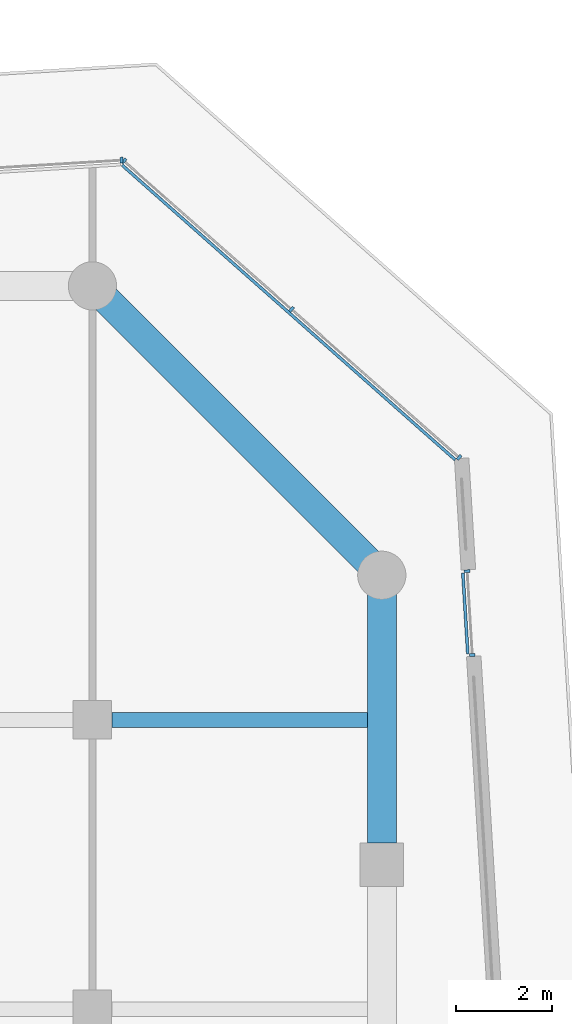
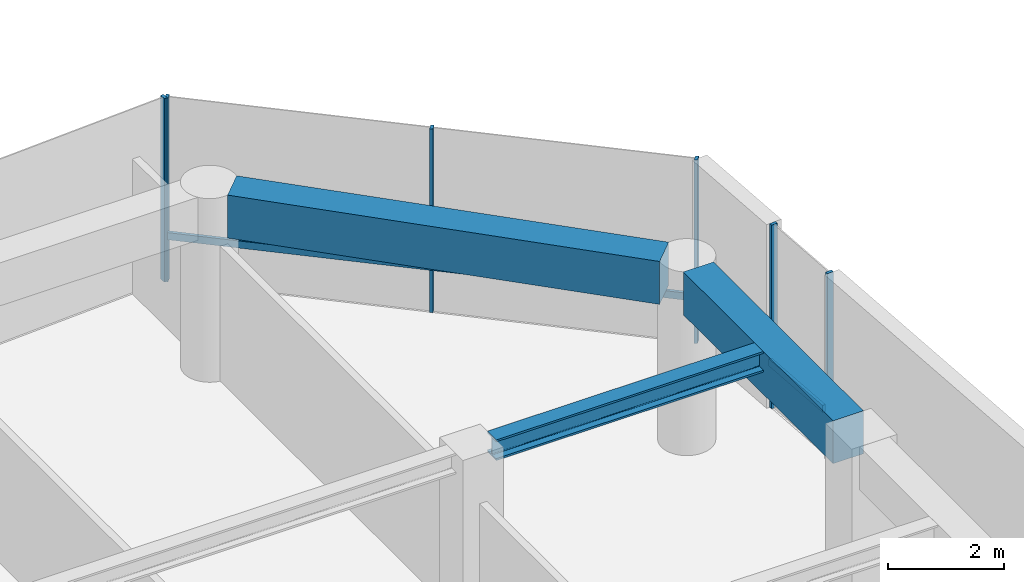
# One storey, part 9 of 23: 8 members, 3 beams, 3 elements without a shape of their own.
"""IFC4 building model written with IfcOpenShell, lengths in metres."""

from ifc_helpers import new_model, si_unit, direction, frame, origin, origin_2d, place, context, subcontext, project, spatial, rectangle, i_section, extrude, material, layer, layer_set, material_profile, profile_set, type_object, element, aggregate, save


model = new_model("IFC4")

# Units and contexts
model_context = context("Model", 3, precision=1e-05, world=origin(), true_north=direction((0.0, 1.0)))
body_context = subcontext(model_context, "Body", "Model", "MODEL_VIEW")
ifc_project = project(units=[si_unit("LENGTHUNIT", "METRE"), si_unit("AREAUNIT", "SQUARE_METRE"), si_unit("VOLUMEUNIT", "CUBIC_METRE"), si_unit("PLANEANGLEUNIT", "RADIAN"), si_unit("MASSUNIT", "GRAM", prefix="KILO")], contexts=[model_context])

# Site, building, storey
site_placement = place(None, origin())
site = spatial("IfcSite", under=ifc_project, at=site_placement, CompositionType="ELEMENT")
building_placement = place(site_placement, origin())
building = spatial("IfcBuilding", under=site, at=building_placement, Name="Welwitschia Terrace Campus", CompositionType="ELEMENT")
storey_placement = place(building_placement, frame((0.0, 0.0, 96.199951171875)))
storey = spatial("IfcBuildingStorey", under=building, at=storey_placement, Name="L21", CompositionType="ELEMENT", Elevation=96.199951171875)

# Beam
ifc_material_1 = material(Name="Steel S355", Category="steel")
ifc_material_profile_1 = material_profile(ifc_material_1, i_section(OverallWidth=0.306884765625, OverallDepth=0.431884765625, WebThickness=0.02099609375, FlangeThickness=0.0400390625, FilletRadius=0.027099609375, at=origin_2d()))
ifc_profile_set_1 = profile_set([ifc_material_profile_1], Name="Steel S355")
beam_type_1 = type_object("IfcBeamType", Name="Interior girder HE 400 M", PredefinedType="BEAM", material=ifc_profile_set_1)
beam_1_placement = place(storey_placement, frame((48.400390625, 19.0, 3.634033203125), z_axis=(1.0, 0.0, 0.0), x_axis=(0.0, 1.0, 0.0)))
element("IfcBeam", 1, at=beam_1_placement, inside=storey, type_object=beam_type_1, Name="Girder GB3", PredefinedType="BEAM", context=body_context, shape_type="SweptSolid", body=[
    extrude(i_section(OverallWidth=0.306884765625, OverallDepth=0.431884765625, WebThickness=0.02099609375, FlangeThickness=0.0400390625, FilletRadius=0.027099609375, at=origin_2d()), origin(), (0.0, 0.0, 1.0), 5.609619140625),
])

# Curtain wall, members
ifc_material_2 = material(Name="Bronze anodised aluminium", Category="aluminium")
ifc_layer = layer(ifc_material_2, 0.1201171875)
ifc_layer_set = layer_set([ifc_layer], Name="Bronze anodised aluminium")
curtain_wall_type = type_object("IfcCurtainWallType", Name="Curtain wall CW2 tower 6000", PredefinedType="NOTDEFINED", material=ifc_layer_set)
curtain_wall_1_placement = place(storey_placement, origin())
curtain_wall_1 = element("IfcCurtainWall", 2, at=curtain_wall_1_placement, inside=storey, type_object=curtain_wall_type, Name="CW L21.4.S0", PredefinedType="NOTDEFINED")
ifc_material_3 = material(Name="Bronze anodised aluminium", Category="aluminium")
ifc_material_profile_2 = material_profile(ifc_material_3, rectangle(XDim=0.1201171875, YDim=0.06005859375, at=origin_2d()))
ifc_profile_set_2 = profile_set([ifc_material_profile_2], Name="Bronze anodised aluminium")
member_type_1 = type_object("IfcMemberType", Name="Mullion 60x120", PredefinedType="MULLION", material=ifc_profile_set_2)
member_1_placement = place(storey_placement, frame((55.87548828125, 20.346435546875, 0.0), z_axis=(0.0, 0.0, 1.0), x_axis=(-0.998134798422, -0.061048539535, 0.0)))
member_1 = element("IfcMember", 3, at=member_1_placement, type_object=member_type_1, Name="Mullion L21.4.S0.0", PredefinedType="MULLION", context=body_context, shape_type="SweptSolid", body=[
    extrude(rectangle(XDim=0.1201171875, YDim=0.06005859375, at=origin_2d()), origin(), (0.0, 0.0, 1.0), 3.85009765625),
])
member_2_placement = place(storey_placement, frame((55.769287109375, 22.083251953125, 0.0), z_axis=(0.0, 0.0, 1.0), x_axis=(-0.998134798422, -0.061048539535, 0.0)))
member_2 = element("IfcMember", 4, at=member_2_placement, type_object=member_type_1, Name="Mullion L21.4.S0.1", PredefinedType="MULLION", context=body_context, shape_type="SweptSolid", body=[
    extrude(rectangle(XDim=0.1201171875, YDim=0.06005859375, at=origin_2d()), origin(), (0.0, 0.0, 1.0), 3.85009765625),
])

curtain_wall_2_placement = place(storey_placement, origin())
curtain_wall_2 = element("IfcCurtainWall", 5, at=curtain_wall_2_placement, inside=storey, type_object=curtain_wall_type, Name="CW L21.5.0", PredefinedType="NOTDEFINED")
member_3_placement = place(storey_placement, frame((55.603759765625, 24.441650390625, 0.0), z_axis=(0.0, 0.0, 1.0), x_axis=(-0.662620048216, -0.748955720789, 0.0)))
member_3 = element("IfcMember", 6, at=member_3_placement, type_object=member_type_1, Name="Mullion L21.5.0.0", PredefinedType="MULLION", context=body_context, shape_type="SweptSolid", body=[
    extrude(rectangle(XDim=0.1201171875, YDim=0.06005859375, at=origin_2d()), origin(), (0.0, 0.0, 1.0), 3.85009765625),
])
member_4_placement = place(storey_placement, frame((52.129150390625, 27.515625, 0.0), z_axis=(0.0, 0.0, 1.0), x_axis=(-0.662620048216, -0.748955720789, 0.0)))
member_4 = element("IfcMember", 7, at=member_4_placement, type_object=member_type_1, Name="Mullion L21.5.0.1", PredefinedType="MULLION", context=body_context, shape_type="SweptSolid", body=[
    extrude(rectangle(XDim=0.1201171875, YDim=0.06005859375, at=origin_2d()), origin(), (0.0, 0.0, 1.0), 3.85009765625),
])
member_5_placement = place(storey_placement, frame((48.654541015625, 30.58984375, 0.0), z_axis=(0.0, 0.0, 1.0), x_axis=(-0.662620048216, -0.748955720789, 0.0)))
member_5 = element("IfcMember", 8, at=member_5_placement, type_object=member_type_1, Name="Mullion L21.5.0.2", PredefinedType="MULLION", context=body_context, shape_type="SweptSolid", body=[
    extrude(rectangle(XDim=0.1201171875, YDim=0.06005859375, at=origin_2d()), origin(), (0.0, 0.0, 1.0), 3.85009765625),
])

# Curtain wall, member
curtain_wall_3_placement = place(storey_placement, origin())
curtain_wall_3 = element("IfcCurtainWall", 9, at=curtain_wall_3_placement, inside=storey, type_object=curtain_wall_type, Name="CW L21.6.0", PredefinedType="NOTDEFINED")
member_6_placement = place(storey_placement, frame((48.60205078125, 30.607666015625, 0.0), z_axis=(0.0, 0.0, 1.0), x_axis=(0.061048539535, -0.998134798422, 0.0)))
member_6 = element("IfcMember", 10, at=member_6_placement, type_object=member_type_1, Name="Mullion L21.6.0.0", PredefinedType="MULLION", context=body_context, shape_type="SweptSolid", body=[
    extrude(rectangle(XDim=0.1201171875, YDim=0.06005859375, at=origin_2d()), origin(), (0.0, 0.0, 1.0), 3.85009765625),
])
aggregate(curtain_wall_3, [member_6])

# Beams
ifc_material_4 = material(Name="Concrete C60/75", Category="concrete")
ifc_material_profile_3 = material_profile(ifc_material_4, rectangle(XDim=0.60009765625, YDim=0.89990234375, at=origin_2d()))
ifc_profile_set_3 = profile_set([ifc_material_profile_3], Name="Concrete C60/75")
beam_type_2 = type_object("IfcBeamType", Name="Ring spandrel 600x900", PredefinedType="SPANDREL", material=ifc_profile_set_3)
beam_2_placement = place(storey_placement, frame((54.0, 16.450439453125, 3.400146484375), z_axis=(0.0, 1.0, 0.0), x_axis=(-1.0, 0.0, 0.0)))
element("IfcBeam", 11, at=beam_2_placement, inside=storey, type_object=beam_type_2, Name="Spandrel SP2", PredefinedType="SPANDREL", context=body_context, shape_type="SweptSolid", body=[
    extrude(rectangle(XDim=0.60009765625, YDim=0.89990234375, at=origin_2d()), origin(), (0.0, 0.0, 1.0), 5.149169921875),
])
beam_3_placement = place(storey_placement, frame((53.716796875, 22.283203125, 3.400146484375), z_axis=(-0.707106781187, 0.707106781187, 0.0), x_axis=(-0.707106781187, -0.707106781187, 0.0)))
element("IfcBeam", 12, at=beam_3_placement, inside=storey, type_object=beam_type_2, Name="Spandrel SP2", PredefinedType="SPANDREL", context=body_context, shape_type="SweptSolid", body=[
    extrude(rectangle(XDim=0.60009765625, YDim=0.89990234375, at=origin_2d()), origin(), (0.0, 0.0, 1.0), 7.684326171875),
])

# Member
ifc_material_5 = material(Name="Bronze anodised aluminium", Category="aluminium")
ifc_material_profile_4 = material_profile(ifc_material_5, rectangle(XDim=0.06005859375, YDim=0.14990234375, at=origin_2d()))
ifc_profile_set_4 = profile_set([ifc_material_profile_4], Name="Bronze anodised aluminium")
member_type_2 = type_object("IfcMemberType", Name="Transom 60x150", PredefinedType="USERDEFINED", material=ifc_profile_set_4)
member_7_placement = place(storey_placement, frame((55.78369140625, 20.370849609375, 1.0), z_axis=(-0.061030293199, 0.998135914248, 0.0), x_axis=(-0.998135914248, -0.061030293199, 0.0)))
member_7 = element("IfcMember", 13, at=member_7_placement, type_object=member_type_2, Name="Transom L21.4.S0", ObjectType="TRANSOM", PredefinedType="USERDEFINED", context=body_context, shape_type="SweptSolid", body=[
    extrude(rectangle(XDim=0.06005859375, YDim=0.14990234375, at=origin_2d()), origin(), (0.0, 0.0, 1.0), 1.68017578125),
])

aggregate(curtain_wall_1, [member_1, member_2, member_7])

member_8_placement = place(storey_placement, frame((55.521484375, 24.39404296875, 1.0), z_axis=(-0.748956121412, 0.662619595394, 0.0), x_axis=(-0.662619595394, -0.748956121412, 0.0)))
member_8 = element("IfcMember", 14, at=member_8_placement, type_object=member_type_2, Name="Transom L21.5.0", ObjectType="TRANSOM", PredefinedType="USERDEFINED", context=body_context, shape_type="SweptSolid", body=[
    extrude(rectangle(XDim=0.06005859375, YDim=0.14990234375, at=origin_2d()), origin(), (0.0, 0.0, 1.0), 9.218505859375),
])

aggregate(curtain_wall_2, [member_3, member_4, member_5, member_8])

save(model, "model.ifc")
